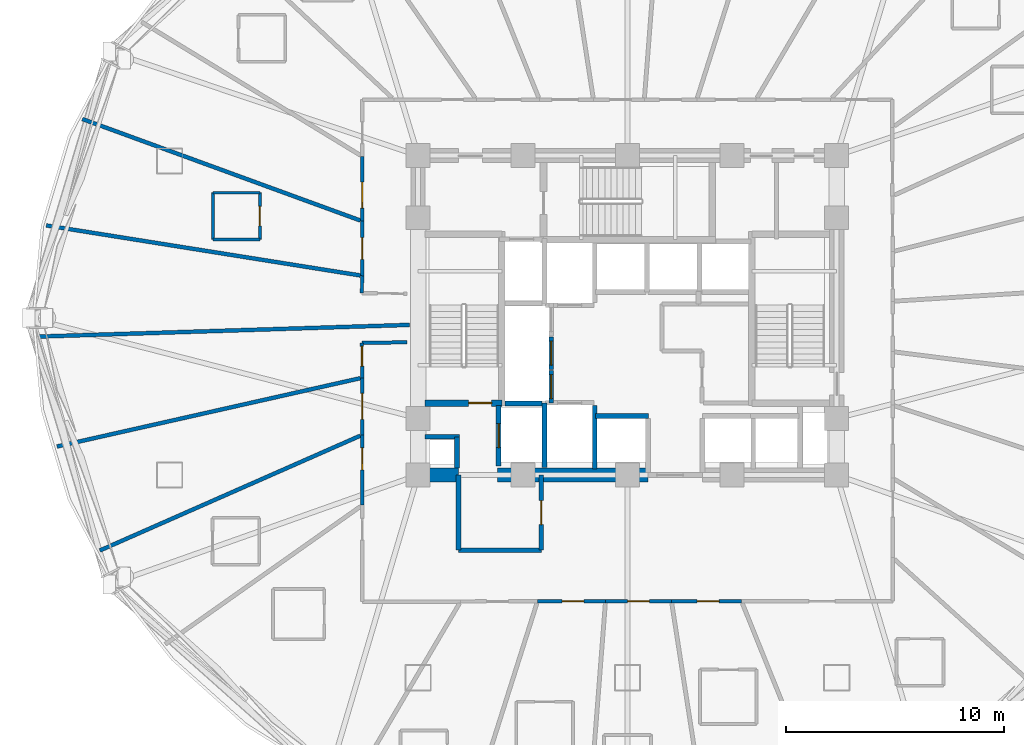
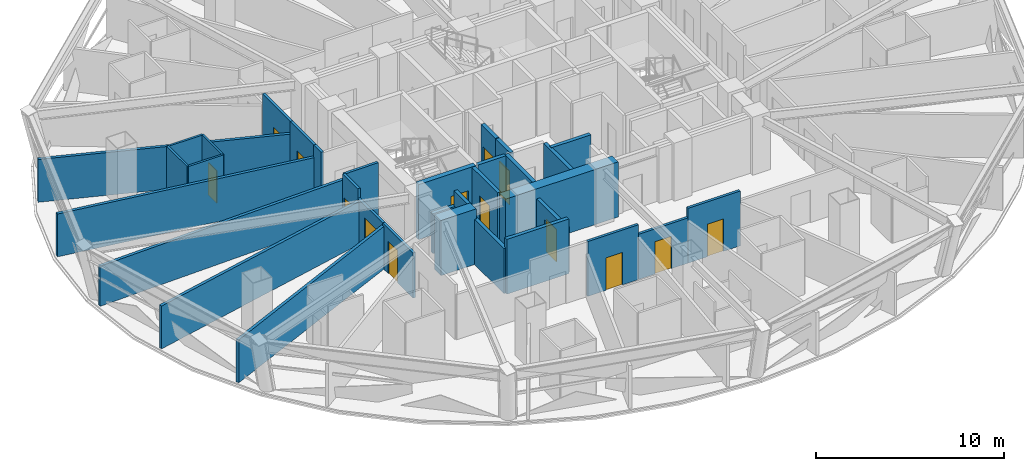
# One storey, part 5 of 13: 34 walls, 14 doors, 14 openings.
"""IFC4 building model written with IfcOpenShell, lengths in metres."""

from ifc_helpers import new_model, si_unit, direction, frame, frame_2d, origin, place, context, subcontext, project, spatial, rectangle, extrude, material, layer, layer_set, type_object, element, fill, save


model = new_model("IFC4")

# Units and contexts
model_context = context("Model", 3, precision=1e-05, world=origin(), true_north=direction((0.0, 1.0)))
body_context = subcontext(model_context, "Body", "Model", "MODEL_VIEW")
ifc_project = project(units=[si_unit("LENGTHUNIT", "METRE"), si_unit("AREAUNIT", "SQUARE_METRE"), si_unit("VOLUMEUNIT", "CUBIC_METRE"), si_unit("PLANEANGLEUNIT", "RADIAN"), si_unit("MASSUNIT", "GRAM", prefix="KILO")], contexts=[model_context])

# Site, building, storey
site_placement = place(None, origin())
site = spatial("IfcSite", under=ifc_project, at=site_placement, CompositionType="ELEMENT")
building_placement = place(site_placement, origin())
building = spatial("IfcBuilding", under=site, at=building_placement, Name="Vantalir Tower", CompositionType="ELEMENT")
storey_placement = place(building_placement, frame((0.0, 0.0, 53.25)))
storey = spatial("IfcBuildingStorey", under=building, at=storey_placement, Name="L12", CompositionType="ELEMENT", Elevation=53.25)

# Walls
ifc_material_1 = material(Name="Moisture-resistant en-suite partition", Category="gypsum")
ifc_layer_1 = layer(ifc_material_1, 0.125)
ifc_layer_set_1 = layer_set([ifc_layer_1], Name="Moisture-resistant en-suite partition")
wall_type_1 = type_object("IfcWallType", Name="WL-BATH-125", PredefinedType="PARTITIONING", material=ifc_layer_set_1)
for number, where, z_axis, x_axis, name in (
    (1, (12.491943359375, 28.596923828125, 0.0), (0.0, 0.0, 1.0), (1.0, 0.0, 0.0), "L12 En-suite 14 South Wall"),
    (2, (12.491943359375, 30.7470703125, 0.0), (0.0, 0.0, 1.0), (1.0, 0.0, 0.0), "L12 En-suite 14 North Wall"),
    (3, (12.491943359375, 28.596923828125, 0.0), (0.0, 0.0, 1.0), (0.0, 1.0, 0.0), "L12 En-suite 14 West Wall"),
):
    element("IfcWall", number, at=place(storey_placement, frame(where, z_axis=z_axis, x_axis=x_axis)), inside=storey, type_object=wall_type_1, Name=name, PredefinedType="PARTITIONING", context=body_context, shape_type="SweptSolid", body=[
        extrude(rectangle(XDim=2.150146484375, YDim=0.125, at=frame_2d((1.0751953125, 0.0))), origin(), (0.0, 0.0, 1.0), 3.550048828125),
    ])

# Wall, opening, door
wall_1_placement = place(storey_placement, frame((14.64208984375, 28.596923828125, 0.0), z_axis=(0.0, 0.0, 1.0), x_axis=(0.0, 1.0, 0.0)))
wall_1 = element("IfcWall", 4, at=wall_1_placement, inside=storey, type_object=wall_type_1, Name="L12 En-suite 14 East Wall", PredefinedType="PARTITIONING", context=body_context, shape_type="SweptSolid", body=[
    extrude(rectangle(XDim=2.150146484375, YDim=0.125, at=frame_2d((1.0751953125, 0.0))), origin(), (0.0, 0.0, 1.0), 3.550048828125),
])
opening_1_placement = place(wall_1_placement, frame((0.625, 0.0, 0.0)))
opening_1 = element("IfcOpeningElement", 5, at=opening_1_placement, cuts=wall_1, Name="Opening D-WC", PredefinedType="OPENING", context=body_context, shape_type="SweptSolid", body=[
    extrude(rectangle(XDim=0.89990234375, YDim=2.10009765625, at=frame_2d((0.449951171875, 1.050048828125))), frame((0.0, 0.072509765625, 0.0), z_axis=(0.0, -1.0, 0.0), x_axis=(1.0, 0.0, 0.0)), (0.0, 0.0, 1.0), 0.14501953125),
])
ifc_material_2 = material(Name="Moisture-resistant hardwood door", Category="wood")
door_type_1 = type_object("IfcDoorType", Name="DR-ENSUITE-900", OperationType="NOTDEFINED", PredefinedType="DOOR", material=ifc_material_2)
door_1_placement = place(opening_1_placement, origin())
door_1 = element("IfcDoor", 6, at=door_1_placement, inside=storey, type_object=door_type_1, Name="L12 En-suite 14 Door", OperationType="SINGLE_SWING_LEFT", OverallHeight=2.10009765625, OverallWidth=0.89990234375, PredefinedType="DOOR", context=body_context, shape_type="SweptSolid", body=[
    extrude(rectangle(XDim=0.89990234375, YDim=2.10009765625, at=frame_2d((0.449951171875, 1.050048828125))), frame((0.0, 0.02490234375, 0.0), z_axis=(0.0, -1.0, 0.0), x_axis=(1.0, 0.0, 0.0)), (0.0, 0.0, 1.0), 0.050048828125),
])
fill(opening_1, door_1)

# Walls
ifc_material_3 = material(Name="Concrete C60/75", Category="concrete")
ifc_layer_2 = layer(ifc_material_3, 0.64990234375)
ifc_layer_set_2 = layer_set([ifc_layer_2], Name="Concrete C60/75")
wall_type_2 = type_object("IfcWallType", Name="WL-CORE-650", PredefinedType="SHEAR", material=ifc_layer_set_2)
wall_2_placement = place(storey_placement, frame((21.574951171875, 17.800048828125, 0.0), z_axis=(0.0, 0.0, 1.0), x_axis=(1.0, 0.0, 0.0)))
element("IfcWall", 7, at=wall_2_placement, inside=storey, type_object=wall_type_2, Name="L12 Core Shear Wall South-West", PredefinedType="SHEAR", context=body_context, shape_type="SweptSolid", body=[
    extrude(rectangle(XDim=2.175048828125, YDim=0.64990234375, at=frame_2d((1.08740234375, 0.0))), origin(), (0.0, 0.0, 1.0), 3.570068359375),
])
wall_3_placement = place(storey_placement, frame((25.550048828125, 17.800048828125, 0.0), z_axis=(0.0, 0.0, 1.0), x_axis=(1.0, 0.0, 0.0)))
element("IfcWall", 8, at=wall_3_placement, inside=storey, type_object=wall_type_2, Name="L12 Core Shear Wall South-Mid", PredefinedType="SHEAR", context=body_context, shape_type="SweptSolid", body=[
    extrude(rectangle(XDim=6.89990234375, YDim=0.64990234375, at=frame_2d((3.449951171875, 0.0))), origin(), (0.0, 0.0, 1.0), 3.570068359375),
])
ifc_material_4 = material(Name="Fire-rated hotel corridor acoustic partition", Category="gypsum")
ifc_layer_3 = layer(ifc_material_4, 0.159912109375)
ifc_layer_set_3 = layer_set([ifc_layer_3], Name="Fire-rated hotel corridor acoustic partition")
wall_type_3 = type_object("IfcWallType", Name="WL-CORR-160", PredefinedType="PARTITIONING", material=ifc_layer_set_3)
wall_4_placement = place(storey_placement, frame((19.322998046875, 26.14208984375, 0.0), z_axis=(0.0, 0.0, 1.0), x_axis=(0.00245097303, 0.999996996361, 0.0)))
element("IfcWall", 9, at=wall_4_placement, inside=storey, type_object=wall_type_3, Name="L12 Corridor Partition 02", PredefinedType="PARTITIONING", context=body_context, shape_type="SweptSolid", body=[
    extrude(rectangle(XDim=0.796875, YDim=0.159912109375, at=frame_2d((0.3984375, 0.0))), origin(), (0.0, 0.0, 1.0), 3.550048828125),
])

# Wall, opening, door
wall_5_placement = place(storey_placement, frame((19.324951171875, 26.93896484375, 0.0), z_axis=(0.0, 0.0, 1.0), x_axis=(0.002438541325, 0.999997026754, 0.0)))
wall_5 = element("IfcWall", 10, at=wall_5_placement, inside=storey, type_object=wall_type_3, Name="L12 Corridor Partition 03", PredefinedType="PARTITIONING", context=body_context, shape_type="SweptSolid", body=[
    extrude(rectangle(XDim=2.5029296875, YDim=0.159912109375, at=frame_2d((1.25146484375, 0.0))), origin(), (0.0, 0.0, 1.0), 3.550048828125),
])
opening_2_placement = place(wall_5_placement, frame((0.751953125, 0.0, 0.0)))
opening_2 = element("IfcOpeningElement", 11, at=opening_2_placement, cuts=wall_5, Name="Opening D-GUEST", PredefinedType="OPENING", context=body_context, shape_type="SweptSolid", body=[
    extrude(rectangle(XDim=1.0, YDim=2.10009765625, at=frame_2d((0.5, 1.050048828125))), frame((0.0, 0.08984375, 0.0), z_axis=(0.0, -1.0, 0.0), x_axis=(1.0, 0.0, 0.0)), (0.0, 0.0, 1.0), 0.179931640625),
])
ifc_material_5 = material(Name="Solid-core teak veneer acoustic fire door", Category="wood")
door_type_2 = type_object("IfcDoorType", Name="DR-GUEST-ENTRY-1000", OperationType="NOTDEFINED", PredefinedType="DOOR", material=ifc_material_5)
door_2_placement = place(opening_2_placement, origin())
door_2 = element("IfcDoor", 12, at=door_2_placement, inside=storey, type_object=door_type_2, Name="L12 Deluxe King Hotel Room 14 Door", OperationType="SINGLE_SWING_RIGHT", OverallHeight=2.10009765625, OverallWidth=1.0, PredefinedType="DOOR", context=body_context, shape_type="SweptSolid", body=[
    extrude(rectangle(XDim=1.0, YDim=2.10009765625, at=frame_2d((0.5, 1.050048828125))), frame((0.0, 0.02490234375, 0.0), z_axis=(0.0, -1.0, 0.0), x_axis=(1.0, 0.0, 0.0)), (0.0, 0.0, 1.0), 0.050048828125),
])
fill(opening_2, door_2)

wall_6_placement = place(storey_placement, frame((19.3310546875, 29.44189453125, 0.0), z_axis=(0.0, 0.0, 1.0), x_axis=(0.002301489877, 0.999997351569, 0.0)))
wall_6 = element("IfcWall", 13, at=wall_6_placement, inside=storey, type_object=wall_type_3, Name="L12 Corridor Partition 04", PredefinedType="PARTITIONING", context=body_context, shape_type="SweptSolid", body=[
    extrude(rectangle(XDim=2.97021484375, YDim=0.159912109375, at=frame_2d((1.485107421875, 0.0))), origin(), (0.0, 0.0, 1.0), 3.550048828125),
])
opening_3_placement = place(wall_6_placement, frame((0.594970703125, 0.0, 0.0)))
opening_3 = element("IfcOpeningElement", 14, at=opening_3_placement, cuts=wall_6, Name="Opening D-STE", PredefinedType="OPENING", context=body_context, shape_type="SweptSolid", body=[
    extrude(rectangle(XDim=1.199951171875, YDim=2.10009765625, at=frame_2d((0.60009765625, 1.050048828125))), frame((0.0, 0.08984375, 0.0), z_axis=(0.0, -1.0, 0.0), x_axis=(1.0, 0.0, 0.0)), (0.0, 0.0, 1.0), 0.179931640625),
])
ifc_material_6 = material(Name="Solid-core teak veneer suite entrance door", Category="wood")
door_type_3 = type_object("IfcDoorType", Name="DR-SUITE-ENTRY-1200", OperationType="NOTDEFINED", PredefinedType="DOOR", material=ifc_material_6)
door_3_placement = place(opening_3_placement, origin())
door_3 = element("IfcDoor", 15, at=door_3_placement, inside=storey, type_object=door_type_3, Name="L12 Club Reading Lounge 13 Door", OperationType="SINGLE_SWING_LEFT", OverallHeight=2.10009765625, OverallWidth=1.199951171875, PredefinedType="DOOR", context=body_context, shape_type="SweptSolid", body=[
    extrude(rectangle(XDim=1.199951171875, YDim=2.10009765625, at=frame_2d((0.60009765625, 1.050048828125))), frame((0.0, 0.02490234375, 0.0), z_axis=(0.0, -1.0, 0.0), x_axis=(1.0, 0.0, 0.0)), (0.0, 0.0, 1.0), 0.050048828125),
])
fill(opening_3, door_3)

wall_7_placement = place(storey_placement, frame((36.735107421875, 12.00390625, 0.0), z_axis=(0.0, 0.0, 1.0), x_axis=(-0.999999815255, -0.000607856434, 0.0)))
wall_7 = element("IfcWall", 16, at=wall_7_placement, inside=storey, type_object=wall_type_3, Name="L12 Corridor Partition 25", PredefinedType="PARTITIONING", context=body_context, shape_type="SweptSolid", body=[
    extrude(rectangle(XDim=3.213134765625, YDim=0.159912109375, at=frame_2d((1.6064453125, 0.0))), origin(), (0.0, 0.0, 1.0), 3.550048828125),
])
opening_4_placement = place(wall_7_placement, frame((1.033935546875, 0.0, 0.0)))
opening_4 = element("IfcOpeningElement", 17, at=opening_4_placement, cuts=wall_7, Name="Opening D-GUEST", PredefinedType="OPENING", context=body_context, shape_type="SweptSolid", body=[
    extrude(rectangle(XDim=1.0, YDim=2.10009765625, at=frame_2d((0.5, 1.050048828125))), frame((0.0, 0.08984375, 0.0), z_axis=(0.0, -1.0, 0.0), x_axis=(1.0, 0.0, 0.0)), (0.0, 0.0, 1.0), 0.179931640625),
])
door_4_placement = place(opening_4_placement, origin())
door_4 = element("IfcDoor", 18, at=door_4_placement, inside=storey, type_object=door_type_2, Name="L12 Twin Queen Hotel Room 23 Door", OperationType="SINGLE_SWING_LEFT", OverallHeight=2.10009765625, OverallWidth=1.0, PredefinedType="DOOR", context=body_context, shape_type="SweptSolid", body=[
    extrude(rectangle(XDim=1.0, YDim=2.10009765625, at=frame_2d((0.5, 1.050048828125))), frame((0.0, 0.02490234375, 0.0), z_axis=(0.0, -1.0, 0.0), x_axis=(1.0, 0.0, 0.0)), (0.0, 0.0, 1.0), 0.050048828125),
])
fill(opening_4, door_4)

wall_8_placement = place(storey_placement, frame((33.52197265625, 12.001953125, 0.0), z_axis=(0.0, 0.0, 1.0), x_axis=(-0.999999791984, -0.000645005106, 0.0)))
wall_8 = element("IfcWall", 19, at=wall_8_placement, inside=storey, type_object=wall_type_3, Name="L12 Corridor Partition 26", PredefinedType="PARTITIONING", context=body_context, shape_type="SweptSolid", body=[
    extrude(rectangle(XDim=3.028076171875, YDim=0.159912109375, at=frame_2d((1.51416015625, 0.0))), origin(), (0.0, 0.0, 1.0), 2.927978515625),
])
opening_5_placement = place(wall_8_placement, frame((1.013916015625, 0.0, 0.0)))
opening_5 = element("IfcOpeningElement", 20, at=opening_5_placement, cuts=wall_8, Name="Opening D-GUEST", PredefinedType="OPENING", context=body_context, shape_type="SweptSolid", body=[
    extrude(rectangle(XDim=1.0, YDim=2.10009765625, at=frame_2d((0.5, 1.050048828125))), frame((0.0, 0.08984375, 0.0), z_axis=(0.0, -1.0, 0.0), x_axis=(1.0, 0.0, 0.0)), (0.0, 0.0, 1.0), 0.179931640625),
])
door_5_placement = place(opening_5_placement, origin())
door_5 = element("IfcDoor", 21, at=door_5_placement, inside=storey, type_object=door_type_2, Name="L12 Deluxe King Hotel Room 22 Door", OperationType="SINGLE_SWING_RIGHT", OverallHeight=2.10009765625, OverallWidth=1.0, PredefinedType="DOOR", context=body_context, shape_type="SweptSolid", body=[
    extrude(rectangle(XDim=1.0, YDim=2.10009765625, at=frame_2d((0.5, 1.050048828125))), frame((0.0, 0.02490234375, 0.0), z_axis=(0.0, -1.0, 0.0), x_axis=(1.0, 0.0, 0.0)), (0.0, 0.0, 1.0), 0.050048828125),
])
fill(opening_5, door_5)

wall_9_placement = place(storey_placement, frame((30.493896484375, 12.0, 0.0), z_axis=(0.0, 0.0, 1.0), x_axis=(-0.999999804045, -0.000626026953, 0.0)))
wall_9 = element("IfcWall", 22, at=wall_9_placement, inside=storey, type_object=wall_type_3, Name="L12 Corridor Partition 27", PredefinedType="PARTITIONING", context=body_context, shape_type="SweptSolid", body=[
    extrude(rectangle(XDim=3.119873046875, YDim=0.159912109375, at=frame_2d((1.56005859375, 0.0))), origin(), (0.0, 0.0, 1.0), 3.550048828125),
])
opening_6_placement = place(wall_9_placement, frame((0.990966796875, 0.0, 0.0)))
opening_6 = element("IfcOpeningElement", 23, at=opening_6_placement, cuts=wall_9, Name="Opening D-GUEST", PredefinedType="OPENING", context=body_context, shape_type="SweptSolid", body=[
    extrude(rectangle(XDim=1.0, YDim=2.10009765625, at=frame_2d((0.5, 1.050048828125))), frame((0.0, 0.08984375, 0.0), z_axis=(0.0, -1.0, 0.0), x_axis=(1.0, 0.0, 0.0)), (0.0, 0.0, 1.0), 0.179931640625),
])
door_6_placement = place(opening_6_placement, origin())
door_6 = element("IfcDoor", 24, at=door_6_placement, inside=storey, type_object=door_type_2, Name="L12 Deluxe King Hotel Room 21 Door", OperationType="SINGLE_SWING_LEFT", OverallHeight=2.10009765625, OverallWidth=1.0, PredefinedType="DOOR", context=body_context, shape_type="SweptSolid", body=[
    extrude(rectangle(XDim=1.0, YDim=2.10009765625, at=frame_2d((0.5, 1.050048828125))), frame((0.0, 0.02490234375, 0.0), z_axis=(0.0, -1.0, 0.0), x_axis=(1.0, 0.0, 0.0)), (0.0, 0.0, 1.0), 0.050048828125),
])
fill(opening_6, door_6)

wall_10_placement = place(storey_placement, frame((19.3359375, 16.4130859375, 0.0), z_axis=(0.0, 0.0, 1.0), x_axis=(-0.001514576074, 0.999998853029, 0.0)))
wall_10 = element("IfcWall", 25, at=wall_10_placement, inside=storey, type_object=wall_type_3, Name="L12 Corridor Partition 31", PredefinedType="PARTITIONING", context=body_context, shape_type="SweptSolid", body=[
    extrude(rectangle(XDim=3.223876953125, YDim=0.159912109375, at=frame_2d((1.61181640625, 0.0))), origin(), (0.0, 0.0, 1.0), 2.927978515625),
])
opening_7_placement = place(wall_10_placement, frame((1.625, 0.0, 0.0)))
opening_7 = element("IfcOpeningElement", 26, at=opening_7_placement, cuts=wall_10, Name="Opening D-GUEST", PredefinedType="OPENING", context=body_context, shape_type="SweptSolid", body=[
    extrude(rectangle(XDim=1.0, YDim=2.10009765625, at=frame_2d((0.5, 1.050048828125))), frame((0.0, 0.08984375, 0.0), z_axis=(0.0, -1.0, 0.0), x_axis=(1.0, 0.0, 0.0)), (0.0, 0.0, 1.0), 0.179931640625),
])
door_7_placement = place(opening_7_placement, origin())
door_7 = element("IfcDoor", 27, at=door_7_placement, inside=storey, type_object=door_type_2, Name="L12 Deluxe King Hotel Room 18 Door", OperationType="SINGLE_SWING_RIGHT", OverallHeight=2.10009765625, OverallWidth=1.0, PredefinedType="DOOR", context=body_context, shape_type="SweptSolid", body=[
    extrude(rectangle(XDim=1.0, YDim=2.10009765625, at=frame_2d((0.5, 1.050048828125))), frame((0.0, 0.02490234375, 0.0), z_axis=(0.0, -1.0, 0.0), x_axis=(1.0, 0.0, 0.0)), (0.0, 0.0, 1.0), 0.050048828125),
])
fill(opening_7, door_7)

wall_11_placement = place(storey_placement, frame((19.3310546875, 19.636962890625, 0.0), z_axis=(0.0, 0.0, 1.0), x_axis=(-0.001956761069, 0.999998085541, 0.0)))
wall_11 = element("IfcWall", 28, at=wall_11_placement, inside=storey, type_object=wall_type_3, Name="L12 Corridor Partition 32", PredefinedType="PARTITIONING", context=body_context, shape_type="SweptSolid", body=[
    extrude(rectangle(XDim=2.6201171875, YDim=0.159912109375, at=frame_2d((1.31005859375, 0.0))), origin(), (0.0, 0.0, 1.0), 2.927978515625),
])
opening_8_placement = place(wall_11_placement, frame((0.7099609375, 0.0, 0.0)))
opening_8 = element("IfcOpeningElement", 29, at=opening_8_placement, cuts=wall_11, Name="Opening D-STE", PredefinedType="OPENING", context=body_context, shape_type="SweptSolid", body=[
    extrude(rectangle(XDim=1.199951171875, YDim=2.10009765625, at=frame_2d((0.60009765625, 1.050048828125))), frame((0.0, 0.08984375, 0.0), z_axis=(0.0, -1.0, 0.0), x_axis=(1.0, 0.0, 0.0)), (0.0, 0.0, 1.0), 0.179931640625),
])
door_8_placement = place(opening_8_placement, origin())
door_8 = element("IfcDoor", 30, at=door_8_placement, inside=storey, type_object=door_type_3, Name="L12 Club Reading Lounge 17 Door", OperationType="SINGLE_SWING_LEFT", OverallHeight=2.10009765625, OverallWidth=1.199951171875, PredefinedType="DOOR", context=body_context, shape_type="SweptSolid", body=[
    extrude(rectangle(XDim=1.199951171875, YDim=2.10009765625, at=frame_2d((0.60009765625, 1.050048828125))), frame((0.0, 0.02490234375, 0.0), z_axis=(0.0, -1.0, 0.0), x_axis=(1.0, 0.0, 0.0)), (0.0, 0.0, 1.0), 0.050048828125),
])
fill(opening_8, door_8)

wall_12_placement = place(storey_placement, frame((19.325927734375, 22.257080078125, 0.0), z_axis=(0.0, 0.0, 1.0), x_axis=(-0.001830102166, 0.999998325362, 0.0)))
wall_12 = element("IfcWall", 31, at=wall_12_placement, inside=storey, type_object=wall_type_3, Name="L12 Corridor Partition 33", PredefinedType="PARTITIONING", context=body_context, shape_type="SweptSolid", body=[
    extrude(rectangle(XDim=1.600830078125, YDim=0.159912109375, at=frame_2d((0.80029296875, 0.0))), origin(), (0.0, 0.0, 1.0), 3.550048828125),
])
opening_9_placement = place(wall_12_placement, frame((0.541015625, 0.0, 0.0)))
opening_9 = element("IfcOpeningElement", 32, at=opening_9_placement, cuts=wall_12, Name="Opening D-WC", PredefinedType="OPENING", context=body_context, shape_type="SweptSolid", body=[
    extrude(rectangle(XDim=0.89990234375, YDim=2.10009765625, at=frame_2d((0.449951171875, 1.050048828125))), frame((0.0, 0.08984375, 0.0), z_axis=(0.0, -1.0, 0.0), x_axis=(1.0, 0.0, 0.0)), (0.0, 0.0, 1.0), 0.179931640625),
])
door_9_placement = place(opening_9_placement, origin())
door_9 = element("IfcDoor", 33, at=door_9_placement, inside=storey, type_object=door_type_1, Name="L12 Executive Sky Boardroom 16 Door", OperationType="SINGLE_SWING_RIGHT", OverallHeight=2.10009765625, OverallWidth=0.89990234375, PredefinedType="DOOR", context=body_context, shape_type="SweptSolid", body=[
    extrude(rectangle(XDim=0.89990234375, YDim=2.10009765625, at=frame_2d((0.449951171875, 1.050048828125))), frame((0.0, 0.02490234375, 0.0), z_axis=(0.0, -1.0, 0.0), x_axis=(1.0, 0.0, 0.0)), (0.0, 0.0, 1.0), 0.050048828125),
])
fill(opening_9, door_9)

# Walls
wall_13_placement = place(storey_placement, frame((19.322998046875, 23.85791015625, 0.0), z_axis=(0.0, 0.0, 1.0), x_axis=(0.999901714038, 0.014020066451, 0.0)))
element("IfcWall", 34, at=wall_13_placement, inside=storey, type_object=wall_type_3, Name="L12 Corridor Partition 34", PredefinedType="PARTITIONING", context=body_context, shape_type="SweptSolid", body=[
    extrude(rectangle(XDim=2.072265625, YDim=0.159912109375, at=frame_2d((1.0361328125, 0.0))), origin(), (0.0, 0.0, 1.0), 3.550048828125),
])
ifc_material_7 = material(Name="Concrete blockwork with fireboard lining", Category="masonry")
ifc_layer_4 = layer(ifc_material_7, 0.219970703125)
ifc_layer_set_4 = layer_set([ifc_layer_4], Name="Concrete blockwork with fireboard lining")
wall_type_4 = type_object("IfcWallType", Name="WL-FFL-220", PredefinedType="PARTITIONING", material=ifc_layer_set_4)
wall_14_placement = place(storey_placement, frame((30.0, 18.080078125, 0.0), z_axis=(0.0, 0.0, 1.0), x_axis=(0.0, 1.0, 0.0)))
element("IfcWall", 35, at=wall_14_placement, inside=storey, type_object=wall_type_4, Name="L12 Service Lift SV1 East Shaft Wall", PredefinedType="PARTITIONING", context=body_context, shape_type="SweptSolid", body=[
    extrude(rectangle(XDim=2.89990234375, YDim=0.219970703125, at=frame_2d((1.449951171875, 0.0))), origin(), (0.0, 0.0, 1.0), 3.544921875),
])
wall_15_placement = place(storey_placement, frame((23.679931640625, 18.125, 0.0), z_axis=(0.0, 0.0, 1.0), x_axis=(0.0, 1.0, 0.0)))
element("IfcWall", 36, at=wall_15_placement, inside=storey, type_object=wall_type_4, Name="L12 West MEP Riser Wall E", PredefinedType="PARTITIONING", context=body_context, shape_type="SweptSolid", body=[
    extrude(rectangle(XDim=1.425048828125, YDim=0.219970703125, at=frame_2d((0.71240234375, 0.0))), origin(), (0.0, 0.0, 1.0), 3.550048828125),
])
wall_16_placement = place(storey_placement, frame((22.22509765625, 19.550048828125, 0.0), z_axis=(0.0, 0.0, 1.0), x_axis=(1.0, 0.0, 0.0)))
element("IfcWall", 37, at=wall_16_placement, inside=storey, type_object=wall_type_4, Name="L12 West MEP Riser Wall N", PredefinedType="PARTITIONING", context=body_context, shape_type="SweptSolid", body=[
    extrude(rectangle(XDim=1.56494140625, YDim=0.219970703125, at=frame_2d((0.782470703125, 0.0))), origin(), (0.0, 0.0, 1.0), 2.594970703125),
])

# Wall, opening, door
wall_17_placement = place(storey_placement, frame((25.590087890625, 18.219970703125, 0.0), z_axis=(0.0, 0.0, 1.0), x_axis=(0.0, 1.0, 0.0)))
wall_17 = element("IfcWall", 38, at=wall_17_placement, inside=storey, type_object=wall_type_4, Name="L12 Lift FL1 Shaft Front Wall", PredefinedType="PARTITIONING", context=body_context, shape_type="SweptSolid", body=[
    extrude(rectangle(XDim=2.760009765625, YDim=0.219970703125, at=frame_2d((1.3798828125, 0.0))), origin(), (0.0, 0.0, 1.0), 3.550048828125),
])
opening_10_placement = place(wall_17_placement, frame((0.830078125, 0.0, 0.0)))
opening_10 = element("IfcOpeningElement", 39, at=opening_10_placement, cuts=wall_17, Name="Opening LD-FL1", PredefinedType="OPENING", context=body_context, shape_type="SweptSolid", body=[
    extrude(rectangle(XDim=1.10009765625, YDim=2.199951171875, at=frame_2d((0.550048828125, 1.10009765625))), frame((0.0, 0.119873046875, 0.0), z_axis=(0.0, -1.0, 0.0), x_axis=(1.0, 0.0, 0.0)), (0.0, 0.0, 1.0), 0.239990234375),
])
ifc_material_8 = material(Name="Brushed stainless-steel sliding lift landing door", Category="steel")
door_type_4 = type_object("IfcDoorType", Name="DR-LIFT-LANDING-1100", OperationType="DOUBLE_DOOR_SLIDING", PredefinedType="DOOR", material=ifc_material_8)
door_10_placement = place(opening_10_placement, origin())
door_10 = element("IfcDoor", 40, at=door_10_placement, inside=storey, type_object=door_type_4, Name="L12 Lift Landing Door FL1", OperationType="DOUBLE_DOOR_SLIDING", OverallHeight=2.199951171875, OverallWidth=1.10009765625, PredefinedType="DOOR", context=body_context, shape_type="SweptSolid", body=[
    extrude(rectangle(XDim=1.10009765625, YDim=2.199951171875, at=frame_2d((0.550048828125, 1.10009765625))), frame((0.0, 0.02490234375, 0.0), z_axis=(0.0, -1.0, 0.0), x_axis=(1.0, 0.0, 0.0)), (0.0, 0.0, 1.0), 0.050048828125),
])
fill(opening_10, door_10)

# Wall
wall_18_placement = place(storey_placement, frame((30.0400390625, 20.510009765625, 0.0), z_axis=(0.0, 0.0, 1.0), x_axis=(1.0, 0.0, 0.0)))
element("IfcWall", 41, at=wall_18_placement, inside=storey, type_object=wall_type_4, Name="L12 Lift PL-X1 Shaft Front Wall", PredefinedType="PARTITIONING", context=body_context, shape_type="SweptSolid", body=[
    extrude(rectangle(XDim=2.419921875, YDim=0.219970703125, at=frame_2d((1.2099609375, 0.0))), origin(), (0.0, 0.0, 1.0), 3.550048828125),
])

# Wall, opening, door
wall_19_placement = place(storey_placement, frame((28.010009765625, 21.10009765625, 0.0), z_axis=(0.0, 0.0, 1.0), x_axis=(0.0, 1.0, 0.0)))
wall_19 = element("IfcWall", 42, at=wall_19_placement, inside=storey, type_object=wall_type_4, Name="L12 Lift PL-L1 Shaft Front Wall", PredefinedType="PARTITIONING", context=body_context, shape_type="SweptSolid", body=[
    extrude(rectangle(XDim=1.5, YDim=0.219970703125, at=frame_2d((0.75, 0.0))), origin(), (0.0, 0.0, 1.0), 3.550048828125),
])
opening_11_placement = place(wall_19_placement, frame((0.199951171875, 0.0, 0.0)))
opening_11 = element("IfcOpeningElement", 43, at=opening_11_placement, cuts=wall_19, Name="Opening LD-PL-L1", PredefinedType="OPENING", context=body_context, shape_type="SweptSolid", body=[
    extrude(rectangle(XDim=1.10009765625, YDim=2.199951171875, at=frame_2d((0.550048828125, 1.10009765625))), frame((0.0, 0.119873046875, 0.0), z_axis=(0.0, -1.0, 0.0), x_axis=(1.0, 0.0, 0.0)), (0.0, 0.0, 1.0), 0.239990234375),
])
door_11_placement = place(opening_11_placement, frame((1.10009765625, 0.0, 0.0), z_axis=(0.0, 0.0, 1.0), x_axis=(-1.0, 0.0, 0.0)))
door_11 = element("IfcDoor", 44, at=door_11_placement, inside=storey, type_object=door_type_4, Name="L12 Lift Landing Door PL-L1", OperationType="DOUBLE_DOOR_SLIDING", OverallHeight=2.199951171875, OverallWidth=1.10009765625, PredefinedType="DOOR", context=body_context, shape_type="SweptSolid", body=[
    extrude(rectangle(XDim=1.10009765625, YDim=2.199951171875, at=frame_2d((0.550048828125, 1.10009765625))), frame((0.0, 0.02490234375, 0.0), z_axis=(0.0, -1.0, 0.0), x_axis=(1.0, 0.0, 0.0)), (0.0, 0.0, 1.0), 0.050048828125),
])
fill(opening_11, door_11)

wall_20_placement = place(storey_placement, frame((28.010009765625, 22.639892578125, 0.0), z_axis=(0.0, 0.0, 1.0), x_axis=(0.0, 1.0, 0.0)))
wall_20 = element("IfcWall", 45, at=wall_20_placement, inside=storey, type_object=wall_type_4, Name="L12 Lift PL-L2 Shaft Front Wall", PredefinedType="PARTITIONING", context=body_context, shape_type="SweptSolid", body=[
    extrude(rectangle(XDim=1.5, YDim=0.219970703125, at=frame_2d((0.75, 0.0))), origin(), (0.0, 0.0, 1.0), 3.550048828125),
])
opening_12_placement = place(wall_20_placement, frame((0.199951171875, 0.0, 0.0)))
opening_12 = element("IfcOpeningElement", 46, at=opening_12_placement, cuts=wall_20, Name="Opening LD-PL-L2", PredefinedType="OPENING", context=body_context, shape_type="SweptSolid", body=[
    extrude(rectangle(XDim=1.10009765625, YDim=2.199951171875, at=frame_2d((0.550048828125, 1.10009765625))), frame((0.0, 0.119873046875, 0.0), z_axis=(0.0, -1.0, 0.0), x_axis=(1.0, 0.0, 0.0)), (0.0, 0.0, 1.0), 0.239990234375),
])
door_12_placement = place(opening_12_placement, frame((1.10009765625, 0.0, 0.0), z_axis=(0.0, 0.0, 1.0), x_axis=(-1.0, 0.0, 0.0)))
door_12 = element("IfcDoor", 47, at=door_12_placement, inside=storey, type_object=door_type_4, Name="L12 Lift Landing Door PL-L2", OperationType="DOUBLE_DOOR_SLIDING", OverallHeight=2.199951171875, OverallWidth=1.10009765625, PredefinedType="DOOR", context=body_context, shape_type="SweptSolid", body=[
    extrude(rectangle(XDim=1.10009765625, YDim=2.199951171875, at=frame_2d((0.550048828125, 1.10009765625))), frame((0.0, 0.02490234375, 0.0), z_axis=(0.0, -1.0, 0.0), x_axis=(1.0, 0.0, 0.0)), (0.0, 0.0, 1.0), 0.050048828125),
])
fill(opening_12, door_12)

# Walls
wall_21_placement = place(storey_placement, frame((27.699951171875, 18.14990234375, 0.0), z_axis=(0.0, 0.0, 1.0), x_axis=(0.0, 1.0, 0.0)))
element("IfcWall", 48, at=wall_21_placement, inside=storey, type_object=wall_type_4, Name="L12 Fire Lift FL1 Dividing Wall", PredefinedType="PARTITIONING", context=body_context, shape_type="SweptSolid", body=[
    extrude(rectangle(XDim=2.9501953125, YDim=0.219970703125, at=frame_2d((1.47509765625, 0.0))), origin(), (0.0, 0.0, 1.0), 3.550048828125),
])
wall_22_placement = place(storey_placement, frame((25.8798828125, 21.080078125, 0.0), z_axis=(0.0, 0.0, 1.0), x_axis=(1.0, 0.0, 0.0)))
element("IfcWall", 49, at=wall_22_placement, inside=storey, type_object=wall_type_4, Name="L12 Low-Rise Bank South Wall", PredefinedType="PARTITIONING", context=body_context, shape_type="SweptSolid", body=[
    extrude(rectangle(XDim=1.7001953125, YDim=0.219970703125, at=frame_2d((0.85009765625, 0.0))), origin(), (0.0, 0.0, 1.0), 3.550048828125),
])
wall_23_placement = place(storey_placement, frame((23.75, 14.35009765625, 0.0), z_axis=(0.0, 0.0, 1.0), x_axis=(0.0, 1.0, 0.0)))
element("IfcWall", 50, at=wall_23_placement, inside=storey, type_object=wall_type_4, Name="L12 Firefighting Lobby West Outer W", PredefinedType="PARTITIONING", context=body_context, shape_type="SweptSolid", body=[
    extrude(rectangle(XDim=3.449951171875, YDim=0.219970703125, at=frame_2d((1.72509765625, 0.0))), origin(), (0.0, 0.0, 1.0), 2.927978515625),
])
wall_24_placement = place(storey_placement, frame((23.75, 14.35009765625, 0.0), z_axis=(0.0, 0.0, 1.0), x_axis=(1.0, 0.0, 0.0)))
element("IfcWall", 51, at=wall_24_placement, inside=storey, type_object=wall_type_4, Name="L12 Firefighting Lobby West South Wall", PredefinedType="PARTITIONING", context=body_context, shape_type="SweptSolid", body=[
    extrude(rectangle(XDim=3.800048828125, YDim=0.219970703125, at=frame_2d((1.89990234375, 0.0))), origin(), (0.0, 0.0, 1.0), 3.550048828125),
])

# Wall, opening, door
wall_25_placement = place(storey_placement, frame((27.550048828125, 14.35009765625, 0.0), z_axis=(0.0, 0.0, 1.0), x_axis=(0.0, 1.0, 0.0)))
wall_25 = element("IfcWall", 52, at=wall_25_placement, inside=storey, type_object=wall_type_4, Name="L12 Firefighting Lobby West East Wall", PredefinedType="PARTITIONING", context=body_context, shape_type="SweptSolid", body=[
    extrude(rectangle(XDim=3.449951171875, YDim=0.219970703125, at=frame_2d((1.72509765625, 0.0))), origin(), (0.0, 0.0, 1.0), 2.927978515625),
])
opening_13_placement = place(wall_25_placement, frame((1.175048828125, 0.0, 0.0)))
opening_13 = element("IfcOpeningElement", 53, at=opening_13_placement, cuts=wall_25, Name="Opening D-FFL", PredefinedType="OPENING", context=body_context, shape_type="SweptSolid", body=[
    extrude(rectangle(XDim=1.10009765625, YDim=2.10009765625, at=frame_2d((0.550048828125, 1.050048828125))), frame((0.0, 0.119873046875, 0.0), z_axis=(0.0, -1.0, 0.0), x_axis=(1.0, 0.0, 0.0)), (0.0, 0.0, 1.0), 0.239990234375),
])
ifc_material_9 = material(Name="Fire-rated acoustic steel door", Category="steel")
door_type_5 = type_object("IfcDoorType", Name="DR-FIRE-LOBBY-1100", OperationType="NOTDEFINED", PredefinedType="DOOR", material=ifc_material_9)
door_13_placement = place(opening_13_placement, origin())
door_13 = element("IfcDoor", 54, at=door_13_placement, inside=storey, type_object=door_type_5, Name="L12 Firefighting Lobby West Access Door", OperationType="SINGLE_SWING_LEFT", OverallHeight=2.10009765625, OverallWidth=1.10009765625, PredefinedType="DOOR", context=body_context, shape_type="SweptSolid", body=[
    extrude(rectangle(XDim=1.10009765625, YDim=2.10009765625, at=frame_2d((0.550048828125, 1.050048828125))), frame((0.0, 0.02490234375, 0.0), z_axis=(0.0, -1.0, 0.0), x_axis=(1.0, 0.0, 0.0)), (0.0, 0.0, 1.0), 0.050048828125),
])
fill(opening_13, door_13)

# Walls
ifc_material_10 = material(Name="Twin-stud acoustic fire-rated gypsum partition", Category="gypsum")
ifc_layer_5 = layer(ifc_material_10, 0.179931640625)
ifc_layer_set_5 = layer_set([ifc_layer_5], Name="Twin-stud acoustic fire-rated gypsum partition")
wall_type_5 = type_object("IfcWallType", Name="WL-GUEST-180", PredefinedType="PARTITIONING", material=ifc_layer_set_5)
wall_26_placement = place(storey_placement, frame((19.248046875, 29.472900390625, 0.0), z_axis=(0.0, 0.0, 1.0), x_axis=(-0.939376353179, 0.34288783456, 0.0)))
element("IfcWall", 55, at=wall_26_placement, inside=storey, type_object=wall_type_5, Name="L12 Radial Suite Partition 14", PredefinedType="PARTITIONING", context=body_context, shape_type="SweptSolid", body=[
    extrude(rectangle(XDim=13.575927734375, YDim=0.179931640625, at=frame_2d((6.7880859375, 0.0))), origin(), (0.0, 0.0, 1.0), 2.77490234375),
])
wall_27_placement = place(storey_placement, frame((19.248046875, 26.951904296875, 0.0), z_axis=(0.0, 0.0, 1.0), x_axis=(-0.987552205461, 0.157291581112, 0.0)))
element("IfcWall", 56, at=wall_27_placement, inside=storey, type_object=wall_type_5, Name="L12 Radial Suite Partition 15", PredefinedType="PARTITIONING", context=body_context, shape_type="SweptSolid", body=[
    extrude(rectangle(XDim=14.591796875, YDim=0.179931640625, at=frame_2d((7.2958984375, 0.0))), origin(), (0.0, 0.0, 1.0), 2.77490234375),
])
wall_28_placement = place(storey_placement, frame((21.5, 24.68408203125, 0.0), z_axis=(0.0, 0.0, 1.0), x_axis=(-0.999503357518, -0.031512510382, 0.0)))
element("IfcWall", 57, at=wall_28_placement, inside=storey, type_object=wall_type_5, Name="L12 Radial Suite Partition 16", PredefinedType="PARTITIONING", context=body_context, shape_type="SweptSolid", body=[
    extrude(rectangle(XDim=17.013427734375, YDim=0.179931640625, at=frame_2d((8.5068359375, 0.0))), origin(), (0.0, 0.0, 1.0), 2.594970703125),
])
wall_29_placement = place(storey_placement, frame((19.248046875, 22.239990234375, 0.0), z_axis=(0.0, 0.0, 1.0), x_axis=(-0.975547769482, -0.219787509789, 0.0)))
element("IfcWall", 58, at=wall_29_placement, inside=storey, type_object=wall_type_5, Name="L12 Radial Suite Partition 17", PredefinedType="PARTITIONING", context=body_context, shape_type="SweptSolid", body=[
    extrude(rectangle(XDim=14.263916015625, YDim=0.179931640625, at=frame_2d((7.1318359375, 0.0))), origin(), (0.0, 0.0, 1.0), 2.77490234375),
])
wall_30_placement = place(storey_placement, frame((19.248046875, 19.60107421875, 0.0), z_axis=(0.0, 0.0, 1.0), x_axis=(-0.915085250617, -0.403260442025, 0.0)))
element("IfcWall", 59, at=wall_30_placement, inside=storey, type_object=wall_type_5, Name="L12 Radial Suite Partition 18", PredefinedType="PARTITIONING", context=body_context, shape_type="SweptSolid", body=[
    extrude(rectangle(XDim=13.058837890625, YDim=0.179931640625, at=frame_2d((6.529296875, 0.0))), origin(), (0.0, 0.0, 1.0), 2.77490234375),
])

# Wall, opening, door
ifc_material_11 = material(Name="Concrete C50/60", Category="concrete")
ifc_layer_6 = layer(ifc_material_11, 0.300048828125)
ifc_layer_set_6 = layer_set([ifc_layer_6], Name="Concrete C50/60")
wall_type_6 = type_object("IfcWallType", Name="WL-STAIR-300", PredefinedType="SHEAR", material=ifc_layer_set_6)
wall_31_placement = place(storey_placement, frame((22.22509765625, 21.10009765625, 0.0), z_axis=(0.0, 0.0, 1.0), x_axis=(1.0, 0.0, 0.0)))
wall_31 = element("IfcWall", 60, at=wall_31_placement, inside=storey, type_object=wall_type_6, Name="L12 Stair ST1 South Wall", PredefinedType="SHEAR", context=body_context, shape_type="SweptSolid", body=[
    extrude(rectangle(XDim=3.514892578125, YDim=0.300048828125, at=frame_2d((1.75732421875, 0.0))), origin(), (0.0, 0.0, 1.0), 3.570068359375),
])
opening_14_placement = place(wall_31_placement, frame((1.9951171875, 0.0, 0.0)))
opening_14 = element("IfcOpeningElement", 61, at=opening_14_placement, cuts=wall_31, Name="Opening D-ST", PredefinedType="OPENING", context=body_context, shape_type="SweptSolid", body=[
    extrude(rectangle(XDim=1.050048828125, YDim=2.10009765625, at=frame_2d((0.52490234375, 1.050048828125))), frame((0.0, 0.159912109375, 0.0), z_axis=(0.0, -1.0, 0.0), x_axis=(1.0, 0.0, 0.0)), (0.0, 0.0, 1.0), 0.320068359375),
])
ifc_material_12 = material(Name="Fire-rated steel door leaf", Category="steel")
door_type_6 = type_object("IfcDoorType", Name="DR-FIRE-STAIR-1050", OperationType="NOTDEFINED", PredefinedType="DOOR", material=ifc_material_12)
door_14_placement = place(opening_14_placement, origin())
door_14 = element("IfcDoor", 62, at=door_14_placement, inside=storey, type_object=door_type_6, Name="L12 Exit Stair ST1 Fire Door", OperationType="SINGLE_SWING_LEFT", OverallHeight=2.10009765625, OverallWidth=1.050048828125, PredefinedType="DOOR", context=body_context, shape_type="SweptSolid", body=[
    extrude(rectangle(XDim=1.050048828125, YDim=2.10009765625, at=frame_2d((0.52490234375, 1.050048828125))), frame((0.0, 0.02490234375, 0.0), z_axis=(0.0, -1.0, 0.0), x_axis=(1.0, 0.0, 0.0)), (0.0, 0.0, 1.0), 0.050048828125),
])
fill(opening_14, door_14)

save(model, "model.ifc")
